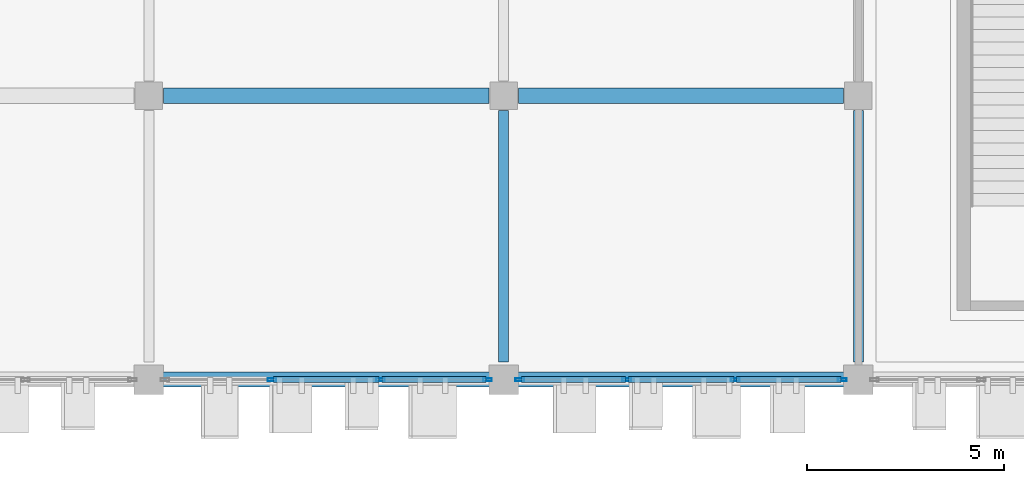
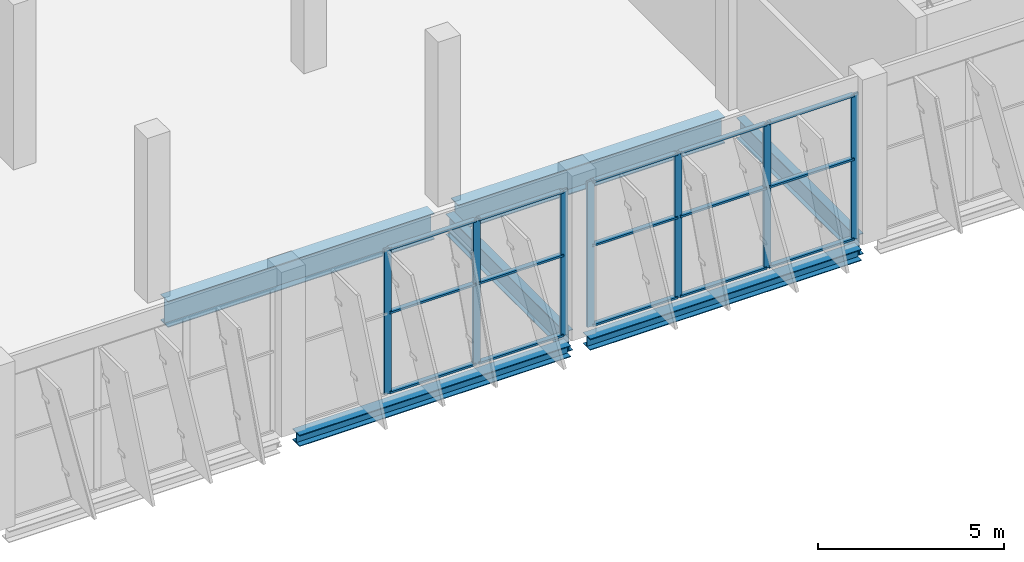
# One storey, part 61 of 189: 22 members, 6 beams, 2 elements without a shape of their own.
"""IFC4 building model written with IfcOpenShell, lengths in metres."""

from ifc_helpers import new_model, si_unit, direction, frame, origin, origin_2d, place, context, subcontext, project, spatial, hollow_rectangle, i_section, extrude, material, layer, layer_set, material_profile, profile_set, type_object, element, aggregate, save


model = new_model("IFC4")

# Units and contexts
model_context = context("Model", 3, precision=1e-05, world=origin(), true_north=direction((0.0, 1.0)))
body_context = subcontext(model_context, "Body", "Model", "MODEL_VIEW")
ifc_project = project(units=[si_unit("LENGTHUNIT", "METRE"), si_unit("AREAUNIT", "SQUARE_METRE"), si_unit("VOLUMEUNIT", "CUBIC_METRE"), si_unit("PLANEANGLEUNIT", "RADIAN"), si_unit("MASSUNIT", "GRAM", prefix="KILO")], contexts=[model_context])

# Site, building, storey
site_placement = place(None, origin())
site = spatial("IfcSite", under=ifc_project, at=site_placement, CompositionType="ELEMENT")
building_placement = place(site_placement, origin())
building = spatial("IfcBuilding", under=site, at=building_placement, Name="Celestram Park Convention Centre", CompositionType="ELEMENT")
storey_placement = place(building_placement, frame((0.0, 0.0, 5.39990234375)))
storey = spatial("IfcBuildingStorey", under=building, at=storey_placement, Name="L01", CompositionType="ELEMENT", Elevation=5.39990234375)

# Curtain wall, members
ifc_material_1 = material(Name="Anodised Aluminium Alloy 6063-T6", Category="aluminium")
ifc_layer = layer(ifc_material_1, 0.179931640625)
ifc_layer_set = layer_set([ifc_layer], Name="Anodised Aluminium Alloy 6063-T6")
curtain_wall_type = type_object("IfcCurtainWallType", Name="ARC-CW-825X476", PredefinedType="NOTDEFINED", material=ifc_layer_set)
curtain_wall_1_placement = place(storey_placement, origin())
curtain_wall_1 = element("IfcCurtainWall", 1, at=curtain_wall_1_placement, inside=storey, type_object=curtain_wall_type, Name="Unitised curtain wall CU-L01-107", PredefinedType="NOTDEFINED")
ifc_material_profile_1 = material_profile(ifc_material_1, hollow_rectangle(XDim=0.074951171875, YDim=0.219970703125, WallThickness=0.00390625, at=origin_2d()), Name="ALU75X220X4")
ifc_profile_set_1 = profile_set([ifc_material_profile_1], Name="Anodised Aluminium Alloy 6063-T6")
member_type_1 = type_object("IfcMemberType", Name="ARC-CWM-180", PredefinedType="MULLION", material=ifc_profile_set_1)
member_1_placement = place(storey_placement, frame((206.589599609375, 0.0, 0.0), z_axis=(0.0, 0.0, 1.0), x_axis=(0.0, -1.0, 0.0)))
member_1 = element("IfcMember", 2, at=member_1_placement, type_object=member_type_1, Name="CW-82X47 mullion 1", PredefinedType="MULLION", context=body_context, shape_type="SweptSolid", body=[
    extrude(hollow_rectangle(XDim=0.074951171875, YDim=0.219970703125, WallThickness=0.00390625, at=origin_2d()), origin(), (0.0, 0.0, 1.0), 4.76416015625),
])
member_2_placement = place(storey_placement, frame((203.875732421875, 0.0, 0.0), z_axis=(0.0, 0.0, 1.0), x_axis=(0.0, -1.0, 0.0)))
member_2 = element("IfcMember", 3, at=member_2_placement, type_object=member_type_1, Name="CW-82X47 mullion 2", PredefinedType="MULLION", context=body_context, shape_type="SweptSolid", body=[
    extrude(hollow_rectangle(XDim=0.074951171875, YDim=0.219970703125, WallThickness=0.00390625, at=origin_2d()), origin(), (0.0, 0.0, 1.0), 4.76416015625),
])
member_3_placement = place(storey_placement, frame((201.124267578125, 0.0, 0.0), z_axis=(0.0, 0.0, 1.0), x_axis=(0.0, -1.0, 0.0)))
member_3 = element("IfcMember", 4, at=member_3_placement, type_object=member_type_1, Name="CW-82X47 mullion 3", PredefinedType="MULLION", context=body_context, shape_type="SweptSolid", body=[
    extrude(hollow_rectangle(XDim=0.074951171875, YDim=0.219970703125, WallThickness=0.00390625, at=origin_2d()), origin(), (0.0, 0.0, 1.0), 4.76416015625),
])
member_4_placement = place(storey_placement, frame((198.410400390625, 0.0, 0.0), z_axis=(0.0, 0.0, 1.0), x_axis=(0.0, -1.0, 0.0)))
member_4 = element("IfcMember", 5, at=member_4_placement, type_object=member_type_1, Name="CW-82X47 mullion 4", PredefinedType="MULLION", context=body_context, shape_type="SweptSolid", body=[
    extrude(hollow_rectangle(XDim=0.074951171875, YDim=0.219970703125, WallThickness=0.00390625, at=origin_2d()), origin(), (0.0, 0.0, 1.0), 4.76416015625),
])

curtain_wall_2_placement = place(storey_placement, origin())
curtain_wall_2 = element("IfcCurtainWall", 6, at=curtain_wall_2_placement, inside=storey, type_object=curtain_wall_type, Name="Unitised curtain wall CU-L01-108", PredefinedType="NOTDEFINED")
member_5_placement = place(storey_placement, frame((197.589599609375, 0.0, 0.0), z_axis=(0.0, 0.0, 1.0), x_axis=(0.0, -1.0, 0.0)))
member_5 = element("IfcMember", 7, at=member_5_placement, type_object=member_type_1, Name="CW-82X47 mullion 1", PredefinedType="MULLION", context=body_context, shape_type="SweptSolid", body=[
    extrude(hollow_rectangle(XDim=0.074951171875, YDim=0.219970703125, WallThickness=0.00390625, at=origin_2d()), origin(), (0.0, 0.0, 1.0), 4.76416015625),
])
member_6_placement = place(storey_placement, frame((194.875732421875, 0.0, 0.0), z_axis=(0.0, 0.0, 1.0), x_axis=(0.0, -1.0, 0.0)))
member_6 = element("IfcMember", 8, at=member_6_placement, type_object=member_type_1, Name="CW-82X47 mullion 2", PredefinedType="MULLION", context=body_context, shape_type="SweptSolid", body=[
    extrude(hollow_rectangle(XDim=0.074951171875, YDim=0.219970703125, WallThickness=0.00390625, at=origin_2d()), origin(), (0.0, 0.0, 1.0), 4.76416015625),
])
member_7_placement = place(storey_placement, frame((192.124267578125, 0.0, 0.0), z_axis=(0.0, 0.0, 1.0), x_axis=(0.0, -1.0, 0.0)))
member_7 = element("IfcMember", 9, at=member_7_placement, type_object=member_type_1, Name="CW-82X47 mullion 3", PredefinedType="MULLION", context=body_context, shape_type="SweptSolid", body=[
    extrude(hollow_rectangle(XDim=0.074951171875, YDim=0.219970703125, WallThickness=0.00390625, at=origin_2d()), origin(), (0.0, 0.0, 1.0), 4.76416015625),
])

# Member
ifc_material_profile_2 = material_profile(ifc_material_1, hollow_rectangle(XDim=0.14990234375, YDim=0.06494140625, WallThickness=0.0029296875, at=origin_2d()), Name="ALU150X65X3")
ifc_profile_set_2 = profile_set([ifc_material_profile_2], Name="Anodised Aluminium Alloy 6063-T6")
member_type_2 = type_object("IfcMemberType", Name="ARC-CWT-150", PredefinedType="USERDEFINED", material=ifc_profile_set_2)
member_8_placement = place(storey_placement, frame((206.552001953125, 0.0, 0.03271484375), z_axis=(-1.0, 0.0, 0.0), x_axis=(0.0, -1.0, 0.0)))
member_8 = element("IfcMember", 10, at=member_8_placement, type_object=member_type_2, Name="CW-82X47 transom 1.1", ObjectType="TRANSOM", PredefinedType="USERDEFINED", context=body_context, shape_type="SweptSolid", body=[
    extrude(hollow_rectangle(XDim=0.14990234375, YDim=0.06494140625, WallThickness=0.0029296875, at=origin_2d()), origin(), (0.0, 0.0, 1.0), 2.638916015625),
])

member_9_placement = place(storey_placement, frame((206.552001953125, 0.0, 2.650146484375), z_axis=(-1.0, 0.0, 0.0), x_axis=(0.0, -1.0, 0.0)))
member_9 = element("IfcMember", 11, at=member_9_placement, type_object=member_type_2, Name="CW-82X47 transom 1.2", ObjectType="TRANSOM", PredefinedType="USERDEFINED", context=body_context, shape_type="SweptSolid", body=[
    extrude(hollow_rectangle(XDim=0.14990234375, YDim=0.06494140625, WallThickness=0.0029296875, at=origin_2d()), origin(), (0.0, 0.0, 1.0), 2.638916015625),
])

member_10_placement = place(storey_placement, frame((206.552001953125, 0.0, 4.731689453125), z_axis=(-1.0, 0.0, 0.0), x_axis=(0.0, -1.0, 0.0)))
member_10 = element("IfcMember", 12, at=member_10_placement, type_object=member_type_2, Name="CW-82X47 transom 1.3", ObjectType="TRANSOM", PredefinedType="USERDEFINED", context=body_context, shape_type="SweptSolid", body=[
    extrude(hollow_rectangle(XDim=0.14990234375, YDim=0.06494140625, WallThickness=0.0029296875, at=origin_2d()), origin(), (0.0, 0.0, 1.0), 2.638916015625),
])

member_11_placement = place(storey_placement, frame((203.838134765625, 0.0, 0.03271484375), z_axis=(-1.0, 0.0, 0.0), x_axis=(0.0, -1.0, 0.0)))
member_11 = element("IfcMember", 13, at=member_11_placement, type_object=member_type_2, Name="CW-82X47 transom 2.1", ObjectType="TRANSOM", PredefinedType="USERDEFINED", context=body_context, shape_type="SweptSolid", body=[
    extrude(hollow_rectangle(XDim=0.14990234375, YDim=0.06494140625, WallThickness=0.0029296875, at=origin_2d()), origin(), (0.0, 0.0, 1.0), 2.67626953125),
])

member_12_placement = place(storey_placement, frame((203.838134765625, 0.0, 2.650146484375), z_axis=(-1.0, 0.0, 0.0), x_axis=(0.0, -1.0, 0.0)))
member_12 = element("IfcMember", 14, at=member_12_placement, type_object=member_type_2, Name="CW-82X47 transom 2.2", ObjectType="TRANSOM", PredefinedType="USERDEFINED", context=body_context, shape_type="SweptSolid", body=[
    extrude(hollow_rectangle(XDim=0.14990234375, YDim=0.06494140625, WallThickness=0.0029296875, at=origin_2d()), origin(), (0.0, 0.0, 1.0), 2.67626953125),
])

member_13_placement = place(storey_placement, frame((203.838134765625, 0.0, 4.731689453125), z_axis=(-1.0, 0.0, 0.0), x_axis=(0.0, -1.0, 0.0)))
member_13 = element("IfcMember", 15, at=member_13_placement, type_object=member_type_2, Name="CW-82X47 transom 2.3", ObjectType="TRANSOM", PredefinedType="USERDEFINED", context=body_context, shape_type="SweptSolid", body=[
    extrude(hollow_rectangle(XDim=0.14990234375, YDim=0.06494140625, WallThickness=0.0029296875, at=origin_2d()), origin(), (0.0, 0.0, 1.0), 2.67626953125),
])

member_14_placement = place(storey_placement, frame((201.0869140625, 0.0, 0.03271484375), z_axis=(-1.0, 0.0, 0.0), x_axis=(0.0, -1.0, 0.0)))
member_14 = element("IfcMember", 16, at=member_14_placement, type_object=member_type_2, Name="CW-82X47 transom 3.1", ObjectType="TRANSOM", PredefinedType="USERDEFINED", context=body_context, shape_type="SweptSolid", body=[
    extrude(hollow_rectangle(XDim=0.14990234375, YDim=0.06494140625, WallThickness=0.0029296875, at=origin_2d()), origin(), (0.0, 0.0, 1.0), 2.638916015625),
])

member_15_placement = place(storey_placement, frame((201.0869140625, 0.0, 2.650146484375), z_axis=(-1.0, 0.0, 0.0), x_axis=(0.0, -1.0, 0.0)))
member_15 = element("IfcMember", 17, at=member_15_placement, type_object=member_type_2, Name="CW-82X47 transom 3.2", ObjectType="TRANSOM", PredefinedType="USERDEFINED", context=body_context, shape_type="SweptSolid", body=[
    extrude(hollow_rectangle(XDim=0.14990234375, YDim=0.06494140625, WallThickness=0.0029296875, at=origin_2d()), origin(), (0.0, 0.0, 1.0), 2.638916015625),
])

member_16_placement = place(storey_placement, frame((201.0869140625, 0.0, 4.731689453125), z_axis=(-1.0, 0.0, 0.0), x_axis=(0.0, -1.0, 0.0)))
member_16 = element("IfcMember", 18, at=member_16_placement, type_object=member_type_2, Name="CW-82X47 transom 3.3", ObjectType="TRANSOM", PredefinedType="USERDEFINED", context=body_context, shape_type="SweptSolid", body=[
    extrude(hollow_rectangle(XDim=0.14990234375, YDim=0.06494140625, WallThickness=0.0029296875, at=origin_2d()), origin(), (0.0, 0.0, 1.0), 2.638916015625),
])

aggregate(curtain_wall_1, [member_1, member_2, member_3, member_4, member_8, member_9, member_10, member_11, member_12, member_13, member_14, member_15, member_16])

member_17_placement = place(storey_placement, frame((197.552001953125, 0.0, 0.03271484375), z_axis=(-1.0, 0.0, 0.0), x_axis=(0.0, -1.0, 0.0)))
member_17 = element("IfcMember", 19, at=member_17_placement, type_object=member_type_2, Name="CW-82X47 transom 1.1", ObjectType="TRANSOM", PredefinedType="USERDEFINED", context=body_context, shape_type="SweptSolid", body=[
    extrude(hollow_rectangle(XDim=0.14990234375, YDim=0.06494140625, WallThickness=0.0029296875, at=origin_2d()), origin(), (0.0, 0.0, 1.0), 2.638916015625),
])

member_18_placement = place(storey_placement, frame((197.552001953125, 0.0, 2.650146484375), z_axis=(-1.0, 0.0, 0.0), x_axis=(0.0, -1.0, 0.0)))
member_18 = element("IfcMember", 20, at=member_18_placement, type_object=member_type_2, Name="CW-82X47 transom 1.2", ObjectType="TRANSOM", PredefinedType="USERDEFINED", context=body_context, shape_type="SweptSolid", body=[
    extrude(hollow_rectangle(XDim=0.14990234375, YDim=0.06494140625, WallThickness=0.0029296875, at=origin_2d()), origin(), (0.0, 0.0, 1.0), 2.638916015625),
])

member_19_placement = place(storey_placement, frame((197.552001953125, 0.0, 4.731689453125), z_axis=(-1.0, 0.0, 0.0), x_axis=(0.0, -1.0, 0.0)))
member_19 = element("IfcMember", 21, at=member_19_placement, type_object=member_type_2, Name="CW-82X47 transom 1.3", ObjectType="TRANSOM", PredefinedType="USERDEFINED", context=body_context, shape_type="SweptSolid", body=[
    extrude(hollow_rectangle(XDim=0.14990234375, YDim=0.06494140625, WallThickness=0.0029296875, at=origin_2d()), origin(), (0.0, 0.0, 1.0), 2.638916015625),
])

member_20_placement = place(storey_placement, frame((194.838134765625, 0.0, 0.03271484375), z_axis=(-1.0, 0.0, 0.0), x_axis=(0.0, -1.0, 0.0)))
member_20 = element("IfcMember", 22, at=member_20_placement, type_object=member_type_2, Name="CW-82X47 transom 2.1", ObjectType="TRANSOM", PredefinedType="USERDEFINED", context=body_context, shape_type="SweptSolid", body=[
    extrude(hollow_rectangle(XDim=0.14990234375, YDim=0.06494140625, WallThickness=0.0029296875, at=origin_2d()), origin(), (0.0, 0.0, 1.0), 2.67626953125),
])

member_21_placement = place(storey_placement, frame((194.838134765625, 0.0, 2.650146484375), z_axis=(-1.0, 0.0, 0.0), x_axis=(0.0, -1.0, 0.0)))
member_21 = element("IfcMember", 23, at=member_21_placement, type_object=member_type_2, Name="CW-82X47 transom 2.2", ObjectType="TRANSOM", PredefinedType="USERDEFINED", context=body_context, shape_type="SweptSolid", body=[
    extrude(hollow_rectangle(XDim=0.14990234375, YDim=0.06494140625, WallThickness=0.0029296875, at=origin_2d()), origin(), (0.0, 0.0, 1.0), 2.67626953125),
])

member_22_placement = place(storey_placement, frame((194.838134765625, 0.0, 4.731689453125), z_axis=(-1.0, 0.0, 0.0), x_axis=(0.0, -1.0, 0.0)))
member_22 = element("IfcMember", 24, at=member_22_placement, type_object=member_type_2, Name="CW-82X47 transom 2.3", ObjectType="TRANSOM", PredefinedType="USERDEFINED", context=body_context, shape_type="SweptSolid", body=[
    extrude(hollow_rectangle(XDim=0.14990234375, YDim=0.06494140625, WallThickness=0.0029296875, at=origin_2d()), origin(), (0.0, 0.0, 1.0), 2.67626953125),
])

aggregate(curtain_wall_2, [member_5, member_6, member_7, member_17, member_18, member_19, member_20, member_21, member_22])

# Beams
ifc_material_2 = material(Name="Steel ASTM A992 Grade 50", Category="steel")
ifc_material_profile_3 = material_profile(ifc_material_2, i_section(OverallWidth=0.25390625, OverallDepth=0.68310546875, WebThickness=0.012451171875, FlangeThickness=0.01904296875, at=origin_2d()), Name="W27X94")
ifc_profile_set_3 = profile_set([ifc_material_profile_3], Name="Steel ASTM A992 Grade 50")
beam_type_1 = type_object("IfcBeamType", Name="STR-BM-W27X94", PredefinedType="BEAM", material=ifc_profile_set_3)
for number, where, z_axis, x_axis, name in (
    (25, (198.0, 0.447998046875, -0.621337890625), (0.0, 1.0, 0.0), (-1.0, 0.0, 0.0), "Primary Y-girder BG-L01-0487"),
    (26, (207.0, 0.447998046875, -0.621337890625), (0.0, 1.0, 0.0), (-1.0, 0.0, 0.0), "Primary Y-girder BG-L01-0513"),
):
    element("IfcBeam", number, at=place(storey_placement, frame(where, z_axis=z_axis, x_axis=x_axis)), inside=storey, type_object=beam_type_1, Name=name, PredefinedType="BEAM", context=body_context, shape_type="SweptSolid", body=[
        extrude(i_section(OverallWidth=0.25390625, OverallDepth=0.68310546875, WebThickness=0.012451171875, FlangeThickness=0.01904296875, at=origin_2d()), origin(), (0.0, 0.0, 1.0), 6.37890625),
    ])
ifc_material_profile_4 = material_profile(ifc_material_2, i_section(OverallWidth=0.40087890625, OverallDepth=0.85595703125, WebThickness=0.018310546875, FlangeThickness=0.029296875, at=origin_2d()), Name="W33X201")
ifc_profile_set_4 = profile_set([ifc_material_profile_4], Name="Steel ASTM A992 Grade 50")
beam_type_2 = type_object("IfcBeamType", Name="STR-BM-W33X201", PredefinedType="BEAM", material=ifc_profile_set_4)
for number, where, z_axis, x_axis, name in (
    (27, (189.373046875, 7.199951171875, -0.7080078125), (1.0, 0.0, 0.0), (0.0, 1.0, 0.0), "Primary X-girder BG-L01-0462"),
    (28, (198.373046875, 7.199951171875, -0.7080078125), (1.0, 0.0, 0.0), (0.0, 1.0, 0.0), "Primary X-girder BG-L01-0488"),
):
    element("IfcBeam", number, at=place(storey_placement, frame(where, z_axis=z_axis, x_axis=x_axis)), inside=storey, type_object=beam_type_2, Name=name, PredefinedType="BEAM", context=body_context, shape_type="SweptSolid", body=[
        extrude(i_section(OverallWidth=0.40087890625, OverallDepth=0.85595703125, WebThickness=0.018310546875, FlangeThickness=0.029296875, at=origin_2d()), origin(), (0.0, 0.0, 1.0), 8.25390625),
    ])
ifc_material_profile_5 = material_profile(ifc_material_2, i_section(OverallWidth=0.373046875, OverallDepth=0.373046875, WebThickness=0.016357421875, FlangeThickness=0.026123046875, at=origin_2d()), Name="W14X132")
ifc_profile_set_5 = profile_set([ifc_material_profile_5], Name="Steel ASTM A992 Grade 50")
beam_type_3 = type_object("IfcBeamType", Name="STR-SPN-W14X132", PredefinedType="SPANDREL", material=ifc_profile_set_5)
for number, where, z_axis, x_axis, name in (
    (29, (189.298095703125, 0.0, -0.46630859375), (1.0, 0.0, 0.0), (0.0, 1.0, 0.0), "Primary X-girder BG-L01-0460"),
    (30, (198.298095703125, 0.0, -0.46630859375), (1.0, 0.0, 0.0), (0.0, 1.0, 0.0), "Primary X-girder BG-L01-0486"),
):
    element("IfcBeam", number, at=place(storey_placement, frame(where, z_axis=z_axis, x_axis=x_axis)), inside=storey, type_object=beam_type_3, Name=name, PredefinedType="SPANDREL", context=body_context, shape_type="SweptSolid", body=[
        extrude(i_section(OverallWidth=0.373046875, OverallDepth=0.373046875, WebThickness=0.016357421875, FlangeThickness=0.026123046875, at=origin_2d()), origin(), (0.0, 0.0, 1.0), 8.40380859375),
    ])

save(model, "model.ifc")
